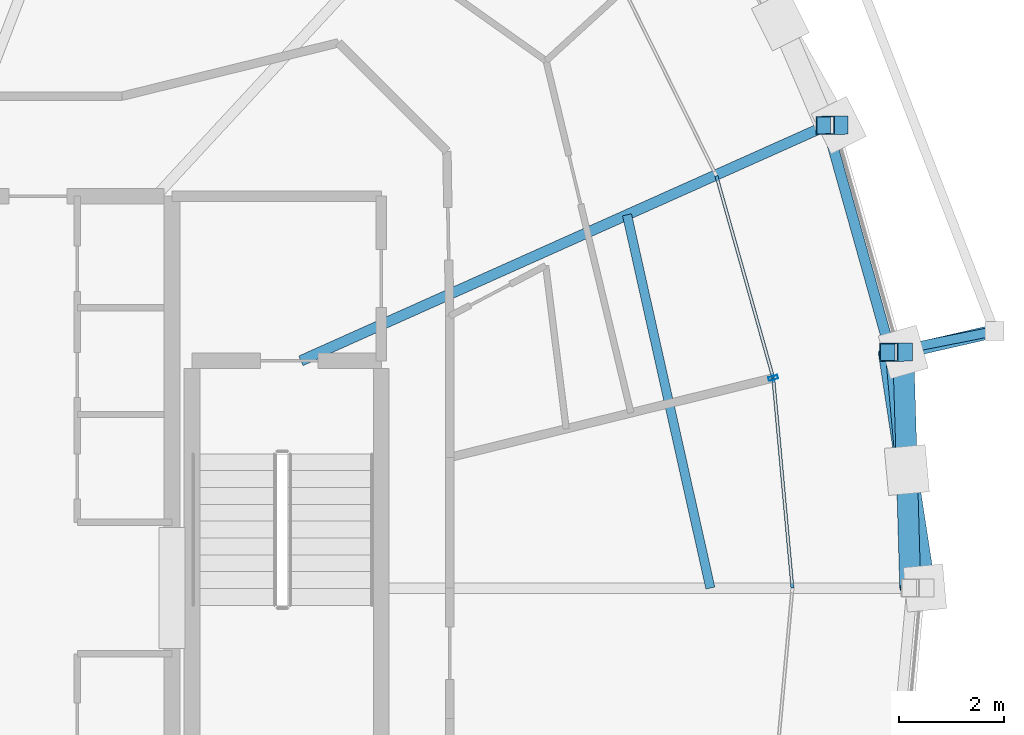
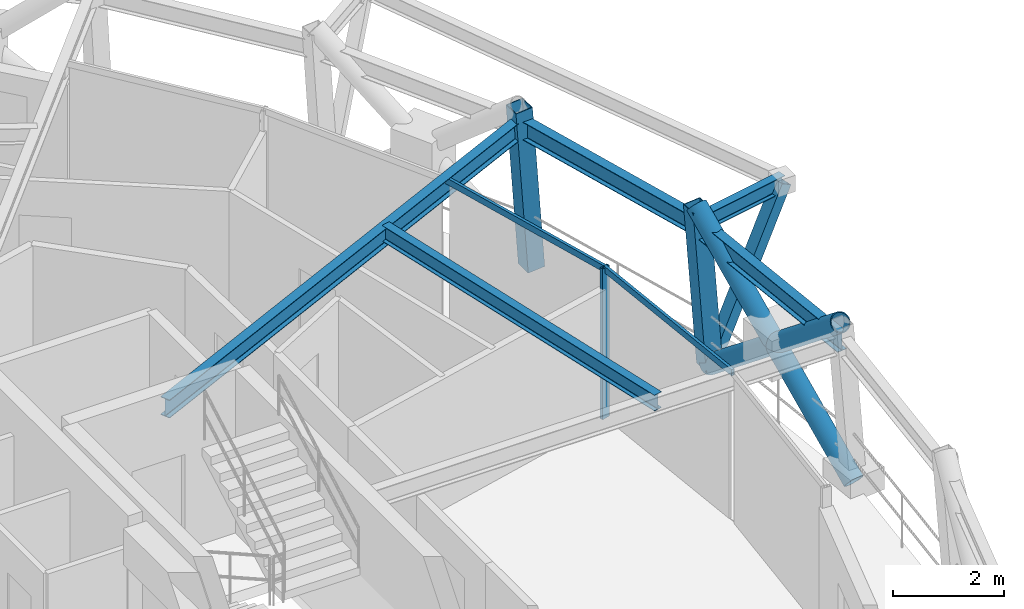
# One storey, part 6 of 15: 9 members, 5 beams, 1 element without a shape of its own.
"""IFC4 building model written with IfcOpenShell, lengths in metres."""

from ifc_helpers import new_model, si_unit, direction, frame, origin, origin_2d, place, context, subcontext, project, spatial, hollow_rectangle, hollow_circle, i_section, extrude, material, layer, layer_set, material_profile, profile_set, type_object, element, aggregate, save


model = new_model("IFC4")

# Units and contexts
model_context = context("Model", 3, precision=1e-05, world=origin(), true_north=direction((0.0, 1.0)))
body_context = subcontext(model_context, "Body", "Model", "MODEL_VIEW")
ifc_project = project(units=[si_unit("LENGTHUNIT", "METRE"), si_unit("AREAUNIT", "SQUARE_METRE"), si_unit("VOLUMEUNIT", "CUBIC_METRE"), si_unit("PLANEANGLEUNIT", "RADIAN"), si_unit("MASSUNIT", "GRAM", prefix="KILO")], contexts=[model_context])

# Site, building, storey
site_placement = place(None, origin())
site = spatial("IfcSite", under=ifc_project, at=site_placement, CompositionType="ELEMENT")
building_placement = place(site_placement, origin())
building = spatial("IfcBuilding", under=site, at=building_placement, Name="Veldorina Hangang Commons", CompositionType="ELEMENT")
storey_placement = place(building_placement, frame((0.0, 0.0, 268.800048828125)))
storey = spatial("IfcBuildingStorey", under=building, at=storey_placement, Name="L70", CompositionType="ELEMENT", Elevation=268.800048828125)

# Beams
ifc_material_1 = material(Name="Steel SM355-TMC", Category="steel")
ifc_material_profile_1 = material_profile(ifc_material_1, i_section(OverallWidth=0.175048828125, OverallDepth=0.35009765625, WebThickness=0.007080078125, FlangeThickness=0.010986328125, FilletRadius=0.012939453125, at=origin_2d()), Name="H-350x175x7x11")
ifc_profile_set_1 = profile_set([ifc_material_profile_1], Name="Steel SM355-TMC")
beam_type_1 = type_object("IfcBeamType", Name="BM-FG350", PredefinedType="BEAM", material=ifc_profile_set_1)
beam_1_placement = place(storey_placement, frame((52.828369140625, 28.484130859375, 3.18505859375), z_axis=(0.980786268177, 0.195085356075, 0.0), x_axis=(-0.195085356075, 0.980786268177, 0.0)))
element("IfcBeam", 1, at=beam_1_placement, inside=storey, type_object=beam_type_1, Name="L71 tree balcony 2 bracket beam A", PredefinedType="BEAM", context=body_context, shape_type="SweptSolid", body=[
    extrude(i_section(OverallWidth=0.175048828125, OverallDepth=0.35009765625, WebThickness=0.007080078125, FlangeThickness=0.010986328125, FilletRadius=0.012939453125, at=origin_2d()), origin(), (0.0, 0.0, 1.0), 2.0498046875),
])
ifc_material_profile_2 = material_profile(ifc_material_1, i_section(OverallWidth=0.199951171875, OverallDepth=0.39990234375, WebThickness=0.008056640625, FlangeThickness=0.012939453125, FilletRadius=0.012939453125, at=origin_2d()), Name="H-400x200x8x13")
ifc_profile_set_2 = profile_set([ifc_material_profile_2], Name="Steel SM355-TMC")
beam_type_2 = type_object("IfcBeamType", Name="BM-FG400", PredefinedType="BEAM", material=ifc_profile_set_2)
beam_2_placement = place(storey_placement, frame((41.65087890625, 28.320068359375, 3.159912109375), z_axis=(0.912739765698, 0.408541454583, 0.0), x_axis=(-0.408541454583, 0.912739765698, 0.0)))
element("IfcBeam", 2, at=beam_2_placement, inside=storey, type_object=beam_type_2, Name="L70 radial floor girder 02", PredefinedType="BEAM", context=body_context, shape_type="SweptSolid", body=[
    extrude(i_section(OverallWidth=0.199951171875, OverallDepth=0.39990234375, WebThickness=0.008056640625, FlangeThickness=0.012939453125, FilletRadius=0.012939453125, at=origin_2d()), origin(), (0.0, 0.0, 1.0), 10.956787109375),
])
ifc_material_profile_3 = material_profile(ifc_material_1, i_section(OverallWidth=0.175048828125, OverallDepth=0.35009765625, WebThickness=0.007080078125, FlangeThickness=0.010986328125, FilletRadius=0.012939453125, at=origin_2d()), Name="H-350x175x7x11")
ifc_profile_set_3 = profile_set([ifc_material_profile_3], Name="Steel SM355-TMC")
beam_type_3 = type_object("IfcBeamType", Name="BM-JST350", PredefinedType="JOIST", material=ifc_profile_set_3)
beam_3_placement = place(storey_placement, frame((49.436279296875, 24.0, 3.18505859375), z_axis=(-0.218004110009, 0.975947851076, 0.0), x_axis=(-0.975947851076, -0.218004110009, 0.0)))
element("IfcBeam", 3, at=beam_3_placement, inside=storey, type_object=beam_type_3, Name="L70 secondary floor joist 01", PredefinedType="JOIST", context=body_context, shape_type="SweptSolid", body=[
    extrude(i_section(OverallWidth=0.175048828125, OverallDepth=0.35009765625, WebThickness=0.007080078125, FlangeThickness=0.010986328125, FilletRadius=0.012939453125, at=origin_2d()), origin(), (0.0, 0.0, 1.0), 7.270263671875),
])
ifc_material_profile_4 = material_profile(ifc_material_1, i_section(OverallWidth=0.199951171875, OverallDepth=0.39990234375, WebThickness=0.008056640625, FlangeThickness=0.012939453125, FilletRadius=0.012939453125, at=origin_2d()), Name="H-400x200x8x13")
ifc_profile_set_4 = profile_set([ifc_material_profile_4], Name="Steel SM355-TMC")
beam_type_4 = type_object("IfcBeamType", Name="BM-RB400", PredefinedType="BEAM", material=ifc_profile_set_4)
beam_4_placement = place(storey_placement, frame((53.2705078125, 24.0, 3.159912109375), z_axis=(-0.090760614325, 0.995872738299, 0.0), x_axis=(-0.995872738299, -0.090760614325, 0.0)))
element("IfcBeam", 4, at=beam_4_placement, inside=storey, type_object=beam_type_4, Name="L70 perimeter hoop ring beam 00", PredefinedType="BEAM", context=body_context, shape_type="SweptSolid", body=[
    extrude(i_section(OverallWidth=0.199951171875, OverallDepth=0.39990234375, WebThickness=0.008056640625, FlangeThickness=0.012939453125, FilletRadius=0.012939453125, at=origin_2d()), origin(), (0.0, 0.0, 1.0), 4.5029296875),
])
beam_5_placement = place(storey_placement, frame((52.86181640625, 28.484375, 3.159912109375), z_axis=(-0.270218270075, 0.962799089383, 0.0), x_axis=(-0.962799089383, -0.270218270075, 0.0)))
element("IfcBeam", 5, at=beam_5_placement, inside=storey, type_object=beam_type_4, Name="L70 perimeter hoop ring beam 01", PredefinedType="BEAM", context=body_context, shape_type="SweptSolid", body=[
    extrude(i_section(OverallWidth=0.199951171875, OverallDepth=0.39990234375, WebThickness=0.008056640625, FlangeThickness=0.012939453125, FilletRadius=0.012939453125, at=origin_2d()), origin(), (0.0, 0.0, 1.0), 4.478515625),
])

# Curtain wall, members
ifc_material_2 = material(Name="Glass Low-E Selective", Category="glass")
ifc_layer = layer(ifc_material_2, 0.179931640625)
ifc_layer_set = layer_set([ifc_layer], Name="Glass Low-E Selective")
curtain_wall_type = type_object("IfcCurtainWallType", Name="CW-SYS-Z3", PredefinedType="NOTDEFINED", material=ifc_layer_set)
curtain_wall_placement = place(storey_placement, origin())
curtain_wall = element("IfcCurtainWall", 6, at=curtain_wall_placement, inside=storey, type_object=curtain_wall_type, Name="L70 unitised curtain wall CW-L70-R2", PredefinedType="NOTDEFINED")
ifc_material_3 = material(Name="Aluminium Anodized AA6063-T6", Category="aluminium")
ifc_material_profile_5 = material_profile(ifc_material_3, hollow_rectangle(XDim=0.070068359375, YDim=0.179931640625, WallThickness=0.00390625, at=origin_2d()), Name="ALU-RHS-180x70x4")
ifc_profile_set_5 = profile_set([ifc_material_profile_5], Name="Aluminium Anodized AA6063-T6")
member_type_1 = type_object("IfcMemberType", Name="CW-MUL-180", PredefinedType="MULLION", material=ifc_profile_set_5)
member_1_placement = place(storey_placement, frame((50.6318359375, 27.994873046875, 0.0), z_axis=(0.0, 0.0, 1.0), x_axis=(-0.270886070452, 0.962611415284, 0.0)))
member_1 = element("IfcMember", 7, at=member_1_placement, type_object=member_type_1, Name="CW-L70-R2 vertical mullion 2", PredefinedType="MULLION", context=body_context, shape_type="SweptSolid", body=[
    extrude(hollow_rectangle(XDim=0.070068359375, YDim=0.179931640625, WallThickness=0.00390625, at=origin_2d()), origin(), (0.0, 0.0, 1.0), 3.320068359375),
])
ifc_material_profile_6 = material_profile(ifc_material_3, hollow_rectangle(XDim=0.06005859375, YDim=0.139892578125, WallThickness=0.00341796875, at=origin_2d()), Name="ALU-RHS-140x60x3.5")
ifc_profile_set_6 = profile_set([ifc_material_profile_6], Name="Aluminium Anodized AA6063-T6")
member_type_2 = type_object("IfcMemberType", Name="CW-TRN-140", PredefinedType="USERDEFINED", material=ifc_profile_set_6)
member_2_placement = place(storey_placement, frame((50.996826171875, 24.0, 3.280029296875), z_axis=(-0.090985701728, 0.995852198914, 0.0), x_axis=(-0.995852198914, -0.090985701728, 0.0)))
member_2 = element("IfcMember", 8, at=member_2_placement, type_object=member_type_2, Name="CW-L70-R2 facet 2 transom 1", ObjectType="TRANSOM", PredefinedType="USERDEFINED", context=body_context, shape_type="SweptSolid", body=[
    extrude(hollow_rectangle(XDim=0.06005859375, YDim=0.139892578125, WallThickness=0.00341796875, at=origin_2d()), origin(), (0.0, 0.0, 1.0), 4.011474609375),
])
member_3_placement = place(storey_placement, frame((50.6318359375, 27.994873046875, 3.280029296875), z_axis=(-0.270905028763, 0.962606080072, 0.0), x_axis=(-0.962606080072, -0.270905028763, 0.0)))
member_3 = element("IfcMember", 9, at=member_3_placement, type_object=member_type_2, Name="CW-L70-R2 facet 3 transom 1", ObjectType="TRANSOM", PredefinedType="USERDEFINED", context=body_context, shape_type="SweptSolid", body=[
    extrude(hollow_rectangle(XDim=0.06005859375, YDim=0.139892578125, WallThickness=0.00341796875, at=origin_2d()), origin(), (0.0, 0.0, 1.0), 3.990478515625),
])
aggregate(curtain_wall, [member_1, member_2, member_3])

# Members
ifc_material_profile_7 = material_profile(ifc_material_1, hollow_circle(Radius=0.199951171875, WallThickness=0.02001953125, at=origin_2d()), Name="CHS-400x20")
ifc_profile_set_7 = profile_set([ifc_material_profile_7], Name="Steel SM355-TMC")
member_type_3 = type_object("IfcMemberType", Name="DG-CHS400", PredefinedType="BRACE", material=ifc_profile_set_7)
member_4_placement = place(storey_placement, frame((53.516845703125, 24.0, 0.0), z_axis=(-0.118879016698, 0.774273368684, 0.621585496883), x_axis=(-0.988417690503, -0.151757929287, 0.0)))
element("IfcMember", 10, at=member_4_placement, inside=storey, type_object=member_type_3, Name="L70 continuous perimeter diagrid brace 00", PredefinedType="BRACE", context=body_context, shape_type="SweptSolid", body=[
    extrude(hollow_circle(Radius=0.199951171875, WallThickness=0.02001953125, at=origin_2d()), origin(), (0.0, 0.0, 1.0), 5.79150390625),
])
member_5_placement = place(storey_placement, frame((53.103515625, 28.486572265625, 0.0), z_axis=(0.023925275828, -0.779692499509, 0.625705351891), x_axis=(0.999529531413, 0.030671091171, 0.0)))
element("IfcMember", 11, at=member_5_placement, inside=storey, type_object=member_type_3, Name="L70 split perimeter diagrid lower brace 01", PredefinedType="BRACE", context=body_context, shape_type="SweptSolid", body=[
    extrude(hollow_circle(Radius=0.199951171875, WallThickness=0.02001953125, at=origin_2d()), origin(), (0.0, 0.0, 1.0), 2.877685546875),
])
member_6_placement = place(storey_placement, frame((53.17236328125, 26.242919921875, 1.800537109375), z_axis=(0.0222396352, -0.779830261772, 0.625595845135), x_axis=(0.999593593784, 0.028506968714, 0.0)))
element("IfcMember", 12, at=member_6_placement, inside=storey, type_object=member_type_3, Name="L70 split perimeter diagrid upper brace 01", PredefinedType="BRACE", context=body_context, shape_type="SweptSolid", body=[
    extrude(hollow_circle(Radius=0.199951171875, WallThickness=0.02001953125, at=origin_2d()), origin(), (0.0, 0.0, 1.0), 2.876220703125),
])
ifc_material_profile_8 = material_profile(ifc_material_1, hollow_rectangle(XDim=0.25, YDim=0.25, WallThickness=0.011962890625, at=origin_2d()), Name="SHS-250x250x12")
ifc_profile_set_8 = profile_set([ifc_material_profile_8], Name="Steel SM355-TMC")
member_type_4 = type_object("IfcMemberType", Name="STR-SHS250", PredefinedType="STRUT", material=ifc_profile_set_8)
member_7_placement = place(storey_placement, frame((53.103515625, 28.486572265625, 0.0), z_axis=(0.475590196001, 0.108928086535, 0.872896693448), x_axis=(-0.223256719461, 0.974759681776, 0.0)))
element("IfcMember", 13, at=member_7_placement, inside=storey, type_object=member_type_4, Name="L71 tree balcony 2 raking knee strut A", PredefinedType="STRUT", context=body_context, shape_type="SweptSolid", body=[
    extrude(hollow_rectangle(XDim=0.25, YDim=0.25, WallThickness=0.011962890625, at=origin_2d()), origin(), (0.0, 0.0, 1.0), 3.64892578125),
])
ifc_material_profile_9 = material_profile(ifc_material_1, hollow_rectangle(XDim=0.35009765625, YDim=0.35009765625, WallThickness=0.01611328125, at=origin_2d()), Name="SHS-350x350x16")
ifc_profile_set_9 = profile_set([ifc_material_profile_9], Name="Steel SM355-TMC")
member_type_5 = type_object("IfcMemberType", Name="STR-SHS350", PredefinedType="STRUT", material=ifc_profile_set_9)
member_8_placement = place(storey_placement, frame((53.103515625, 28.486572265625, 0.0), z_axis=(-0.076210386881, -0.000676223486, 0.997091530228), x_axis=(0.008872765184, -0.999960636244, 0.0)))
element("IfcMember", 14, at=member_8_placement, inside=storey, type_object=member_type_5, Name="L70 perimeter ring node post 01", PredefinedType="STRUT", context=body_context, shape_type="SweptSolid", body=[
    extrude(hollow_rectangle(XDim=0.35009765625, YDim=0.35009765625, WallThickness=0.01611328125, at=origin_2d()), origin(), (0.0, 0.0, 1.0), 3.6103515625),
])
member_9_placement = place(storey_placement, frame((51.87890625, 32.800537109375, 0.0), z_axis=(-0.071770969791, -0.001285248281, 0.997420310617), x_axis=(0.017904763657, -0.999839696871, 0.0)))
element("IfcMember", 15, at=member_9_placement, inside=storey, type_object=member_type_5, Name="L70 perimeter ring node post 02", PredefinedType="STRUT", context=body_context, shape_type="SweptSolid", body=[
    extrude(hollow_rectangle(XDim=0.35009765625, YDim=0.35009765625, WallThickness=0.01611328125, at=origin_2d()), origin(), (0.0, 0.0, 1.0), 3.609130859375),
])

save(model, "model.ifc")
